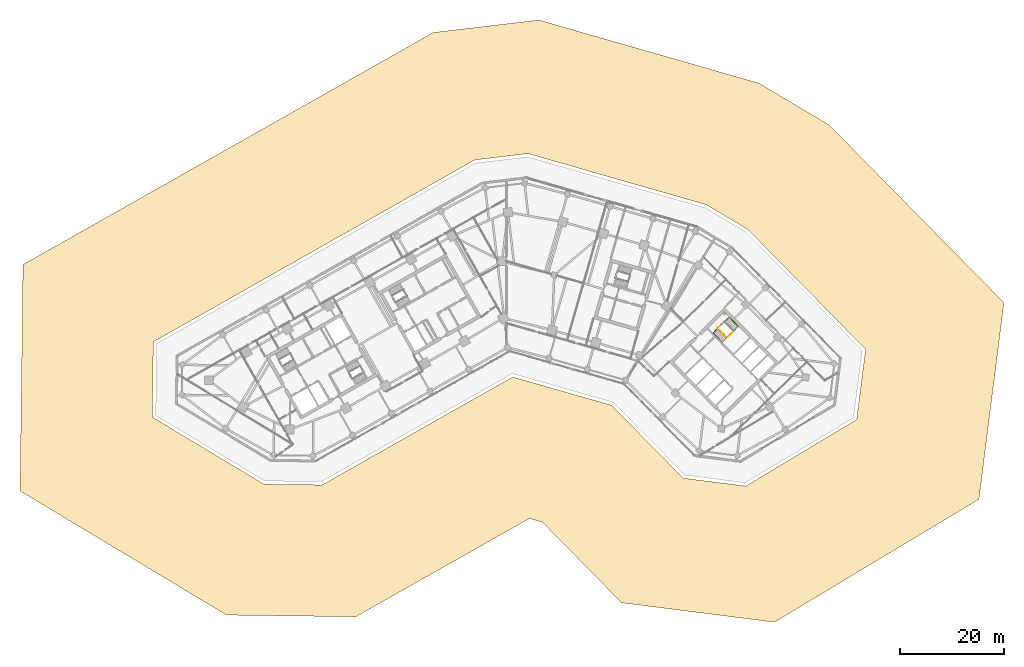
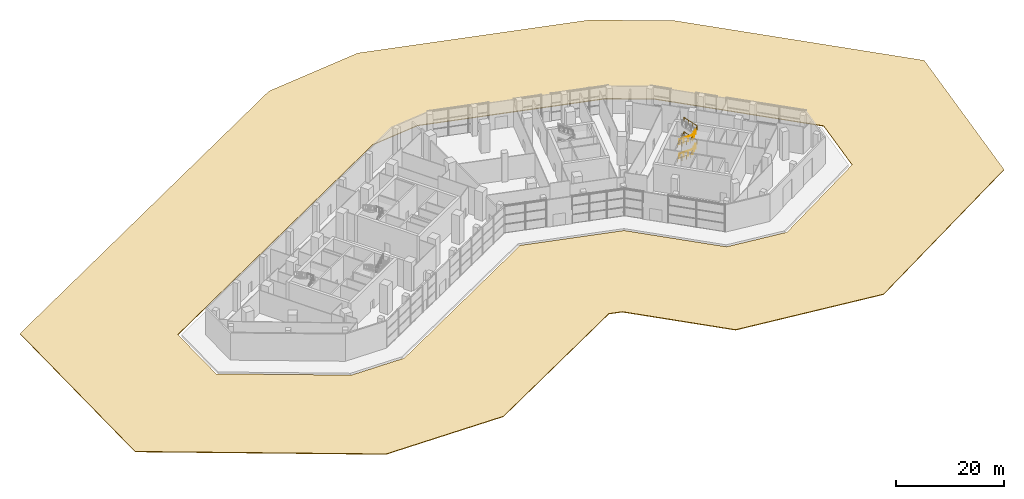
# One storey, part 21 of 22: 3 railings, 1 covering.
"""IFC4 building model written with IfcOpenShell, lengths in metres."""

from ifc_helpers import new_model, si_unit, direction, frame, origin, origin_2d, place, context, subcontext, project, spatial, polyline, circle, outline, extrude, material, layer, layer_set, type_object, element, save


model = new_model("IFC4")

# Units and contexts
model_context = context("Model", 3, precision=1e-05, world=origin(), true_north=direction((0.0, 1.0)))
body_context = subcontext(model_context, "Body", "Model", "MODEL_VIEW")
ifc_project = project(units=[si_unit("LENGTHUNIT", "METRE"), si_unit("AREAUNIT", "SQUARE_METRE"), si_unit("VOLUMEUNIT", "CUBIC_METRE"), si_unit("PLANEANGLEUNIT", "RADIAN"), si_unit("MASSUNIT", "GRAM", prefix="KILO")], contexts=[model_context])

# Site, building, storey
site_placement = place(None, origin())
site = spatial("IfcSite", under=ifc_project, at=site_placement, CompositionType="ELEMENT")
building_placement = place(site_placement, origin())
building = spatial("IfcBuilding", under=site, at=building_placement, Name="Binnacle Exchange Tower", CompositionType="ELEMENT")
storey_placement = place(building_placement, origin())
storey = spatial("IfcBuildingStorey", under=building, at=storey_placement, Name="L00", CompositionType="ELEMENT", Elevation=0.0)

# Covering
ifc_material_1 = material(Name="Granite paving", Category="masonry")
ifc_layer = layer(ifc_material_1, 0.14990234375)
ifc_layer_set = layer_set([ifc_layer], Name="PAVING PLAZA 150")
covering_type = type_object("IfcCoveringType", Name="PAVING PLAZA 150", PredefinedType="USERDEFINED", material=ifc_layer_set)
covering_placement = place(storey_placement, frame((0.0, 0.0, -0.14990234375)))
element("IfcCovering", 1, at=covering_placement, inside=storey, type_object=covering_type, Name="Paving plaza 1", ObjectType="PAVING", PredefinedType="USERDEFINED", context=body_context, shape_type="SweptSolid", body=[
    extrude(outline(polyline([(91.2939453125, 14.02294921875), (51.76708984375, -9.72705078125), (22.23388671875, -5.969970703125), (6.930908203125, 9.60205078125), (4.4609375, 10.31005859375), (-29.096923828125, -8.676025390625), (-54.06201171875, -8.34912109375), (-93.97607421875, 15.634033203125), (-93.404052734375, 59.367919921875), (-14.153076171875, 104.2060546875), (6.242919921875, 106.6201171875), (48.7919921875, 94.419921875), (62.39599609375, 86.325927734375), (96.125, 52.0029296875), (91.2939453125, 14.02294921875)]), holes=[polyline([(38.6298828125, 70.909912109375), (4.154052734375, 80.7958984375), (-6.093017578125, 79.5830078125), (-68.197021484375, 44.446044921875), (-68.386962890625, 29.89208984375), (-46.864013671875, 16.958984375), (-35.62890625, 16.81201171875), (1.22412109375, 37.662109375), (20.360107421875, 32.175048828125), (34.177001953125, 18.114990234375), (46.235107421875, 16.5810546875), (67.652099609375, 29.448974609375), (69.3740234375, 42.987060546875), (46.583984375, 66.177978515625), (38.6298828125, 70.909912109375)])]), origin(), (0.0, 0.0, 1.0), 0.14990234375),
])

# Railings
ifc_material_2 = material(Name="Steel guard rail", Category="steel")
railing_type_1 = type_object("IfcRailingType", Name="STAIR GUARD 1100", PredefinedType="GUARDRAIL", material=ifc_material_2)
for number, where, name in (
    (2, (40.822509765625, 47.046875, 0.16259765625), "L00 STB1 stair guard 1"),
    (3, (40.822509765625, 47.046875, 3.41259765625), "L00 STB1 stair guard 3"),
):
    element("IfcRailing", number, at=place(storey_placement, frame(where)), inside=storey, type_object=railing_type_1, Name=name, PredefinedType="GUARDRAIL", context=body_context, shape_type="SweptSolid", body=[
        extrude(circle(Radius=0.02392578125, at=origin_2d()), frame((0.0, 0.0, 1.076171875), z_axis=(0.606242506394, -0.616884220052, 0.501920195342), x_axis=(0.713231911335, 0.700928128023, 0.0)), (0.0, 0.0, 1.0), 2.91357421875),
        extrude(circle(Radius=0.02392578125, at=origin_2d()), frame((1.766357421875, -1.79736328125, 2.53857421875), z_axis=(0.73246501494, 0.680804672346, 0.0), x_axis=(-0.680804672346, 0.73246501494, 0.0)), (0.0, 0.0, 1.0), 1.800537109375),
        extrude(circle(Radius=0.02099609375, at=origin_2d()), origin(), (0.0, 0.0, 1.0), 1.052001953125),
        extrude(circle(Radius=0.02099609375, at=origin_2d()), frame((0.5888671875, -0.59912109375, 0.487548828125)), (0.0, 0.0, 1.0), 1.052001953125),
        extrude(circle(Radius=0.02099609375, at=origin_2d()), frame((1.177490234375, -1.1982421875, 0.974853515625)), (0.0, 0.0, 1.0), 1.052001953125),
        extrude(circle(Radius=0.02099609375, at=origin_2d()), frame((1.766357421875, -1.79736328125, 1.46240234375)), (0.0, 0.0, 1.0), 1.052001953125),
        extrude(circle(Radius=0.02099609375, at=origin_2d()), frame((2.42578125, -1.1845703125, 1.46240234375)), (0.0, 0.0, 1.0), 1.052001953125),
        extrude(circle(Radius=0.02099609375, at=origin_2d()), frame((3.085205078125, -0.571533203125, 1.46240234375)), (0.0, 0.0, 1.0), 1.052001953125),
    ])
ifc_material_3 = material(Name="Steel handrail", Category="steel")
railing_type_2 = type_object("IfcRailingType", Name="STAIR HANDRAIL 900", PredefinedType="HANDRAIL", material=ifc_material_3)
railing_placement = place(storey_placement, frame((39.930908203125, 46.170654296875, 0.16259765625)))
element("IfcRailing", 4, at=railing_placement, inside=storey, type_object=railing_type_2, Name="L00 STB1 stair handrail 1", PredefinedType="HANDRAIL", context=body_context, shape_type="SweptSolid", body=[
    extrude(circle(Radius=0.02392578125, at=origin_2d()), frame((0.0, 0.0, 0.8759765625), z_axis=(0.606242506394, -0.616884220052, 0.501920195342), x_axis=(0.713231911335, 0.700928128023, 0.0)), (0.0, 0.0, 1.0), 2.91357421875),
    extrude(circle(Radius=0.02392578125, at=origin_2d()), frame((1.766357421875, -1.79736328125, 2.33837890625), z_axis=(0.712755942479, 0.700416761857, 0.037354064974), x_axis=(-0.700905928746, 0.713253726978, 0.0)), (0.0, 0.0, 1.0), 4.352783203125),
    extrude(circle(Radius=0.02392578125, at=origin_2d()), frame((4.868896484375, 1.25146484375, 2.5009765625), z_axis=(-0.606158168605, 0.61696745859, 0.501919744256), x_axis=(-0.713327934542, -0.700830405877, 0.0)), (0.0, 0.0, 1.0), 2.91357421875),
    extrude(circle(Radius=0.02392578125, at=origin_2d()), frame((3.102783203125, 3.049072265625, 3.96337890625), z_axis=(-0.712755536031, -0.700417333345, 0.037351104493), x_axis=(0.700906423018, -0.713253241263, 0.0)), (0.0, 0.0, 1.0), 4.353271484375),
    extrude(circle(Radius=0.02392578125, at=origin_2d()), frame((0.0, 0.0, 4.1259765625), z_axis=(0.606242506394, -0.616884220052, 0.501920195342), x_axis=(0.713231911335, 0.700928128023, 0.0)), (0.0, 0.0, 1.0), 2.91357421875),
    extrude(circle(Radius=0.02392578125, at=origin_2d()), frame((1.766357421875, -1.79736328125, 5.58837890625), z_axis=(0.712755942479, 0.700416761857, 0.037354064974), x_axis=(-0.700905928746, 0.713253726978, 0.0)), (0.0, 0.0, 1.0), 4.352783203125),
    extrude(circle(Radius=0.02392578125, at=origin_2d()), frame((4.868896484375, 1.25146484375, 5.7509765625), z_axis=(-0.606158168605, 0.61696745859, 0.501919744256), x_axis=(-0.713327934542, -0.700830405877, 0.0)), (0.0, 0.0, 1.0), 2.91357421875),
    extrude(circle(Radius=0.02099609375, at=origin_2d()), origin(), (0.0, 0.0, 1.0), 0.851806640625),
    extrude(circle(Radius=0.02099609375, at=origin_2d()), frame((0.5888671875, -0.59912109375, 0.487548828125)), (0.0, 0.0, 1.0), 0.851806640625),
    extrude(circle(Radius=0.02099609375, at=origin_2d()), frame((1.177490234375, -1.1982421875, 0.974853515625)), (0.0, 0.0, 1.0), 0.851806640625),
    extrude(circle(Radius=0.02099609375, at=origin_2d()), frame((1.766357421875, -1.79736328125, 1.46240234375)), (0.0, 0.0, 1.0), 0.851806640625),
    extrude(circle(Radius=0.02099609375, at=origin_2d()), frame((2.5419921875, -1.03515625, 1.5029296875)), (0.0, 0.0, 1.0), 0.851806640625),
    extrude(circle(Radius=0.02099609375, at=origin_2d()), frame((3.317626953125, -0.27294921875, 1.543701171875)), (0.0, 0.0, 1.0), 0.851806640625),
    extrude(circle(Radius=0.02099609375, at=origin_2d()), frame((4.09326171875, 0.4892578125, 1.58447265625)), (0.0, 0.0, 1.0), 0.851806640625),
    extrude(circle(Radius=0.02099609375, at=origin_2d()), frame((4.868896484375, 1.25146484375, 1.625)), (0.0, 0.0, 1.0), 0.851806640625),
    extrude(circle(Radius=0.02099609375, at=origin_2d()), frame((4.2802734375, 1.8505859375, 2.112548828125)), (0.0, 0.0, 1.0), 0.851806640625),
    extrude(circle(Radius=0.02099609375, at=origin_2d()), frame((3.69140625, 2.449951171875, 2.599853515625)), (0.0, 0.0, 1.0), 0.851806640625),
    extrude(circle(Radius=0.02099609375, at=origin_2d()), frame((3.102783203125, 3.049072265625, 3.08740234375)), (0.0, 0.0, 1.0), 0.851806640625),
    extrude(circle(Radius=0.02099609375, at=origin_2d()), frame((2.3271484375, 2.286865234375, 3.1279296875)), (0.0, 0.0, 1.0), 0.851806640625),
    extrude(circle(Radius=0.02099609375, at=origin_2d()), frame((1.55126953125, 1.5244140625, 3.168701171875)), (0.0, 0.0, 1.0), 0.851806640625),
    extrude(circle(Radius=0.02099609375, at=origin_2d()), frame((0.775634765625, 0.76220703125, 3.20947265625)), (0.0, 0.0, 1.0), 0.851806640625),
    extrude(circle(Radius=0.02099609375, at=origin_2d()), frame((0.0, 0.0, 3.25)), (0.0, 0.0, 1.0), 0.851806640625),
    extrude(circle(Radius=0.02099609375, at=origin_2d()), frame((0.5888671875, -0.59912109375, 3.737548828125)), (0.0, 0.0, 1.0), 0.851806640625),
    extrude(circle(Radius=0.02099609375, at=origin_2d()), frame((1.177490234375, -1.1982421875, 4.224853515625)), (0.0, 0.0, 1.0), 0.851806640625),
    extrude(circle(Radius=0.02099609375, at=origin_2d()), frame((1.766357421875, -1.79736328125, 4.71240234375)), (0.0, 0.0, 1.0), 0.851806640625),
    extrude(circle(Radius=0.02099609375, at=origin_2d()), frame((2.5419921875, -1.03515625, 4.7529296875)), (0.0, 0.0, 1.0), 0.851806640625),
    extrude(circle(Radius=0.02099609375, at=origin_2d()), frame((3.317626953125, -0.27294921875, 4.793701171875)), (0.0, 0.0, 1.0), 0.851806640625),
    extrude(circle(Radius=0.02099609375, at=origin_2d()), frame((4.09326171875, 0.4892578125, 4.83447265625)), (0.0, 0.0, 1.0), 0.851806640625),
    extrude(circle(Radius=0.02099609375, at=origin_2d()), frame((4.868896484375, 1.25146484375, 4.875)), (0.0, 0.0, 1.0), 0.851806640625),
    extrude(circle(Radius=0.02099609375, at=origin_2d()), frame((4.2802734375, 1.8505859375, 5.362548828125)), (0.0, 0.0, 1.0), 0.851806640625),
    extrude(circle(Radius=0.02099609375, at=origin_2d()), frame((3.69140625, 2.449951171875, 5.849853515625)), (0.0, 0.0, 1.0), 0.851806640625),
    extrude(circle(Radius=0.02099609375, at=origin_2d()), frame((3.102783203125, 3.049072265625, 6.33740234375)), (0.0, 0.0, 1.0), 0.851806640625),
])

save(model, "model.ifc")
